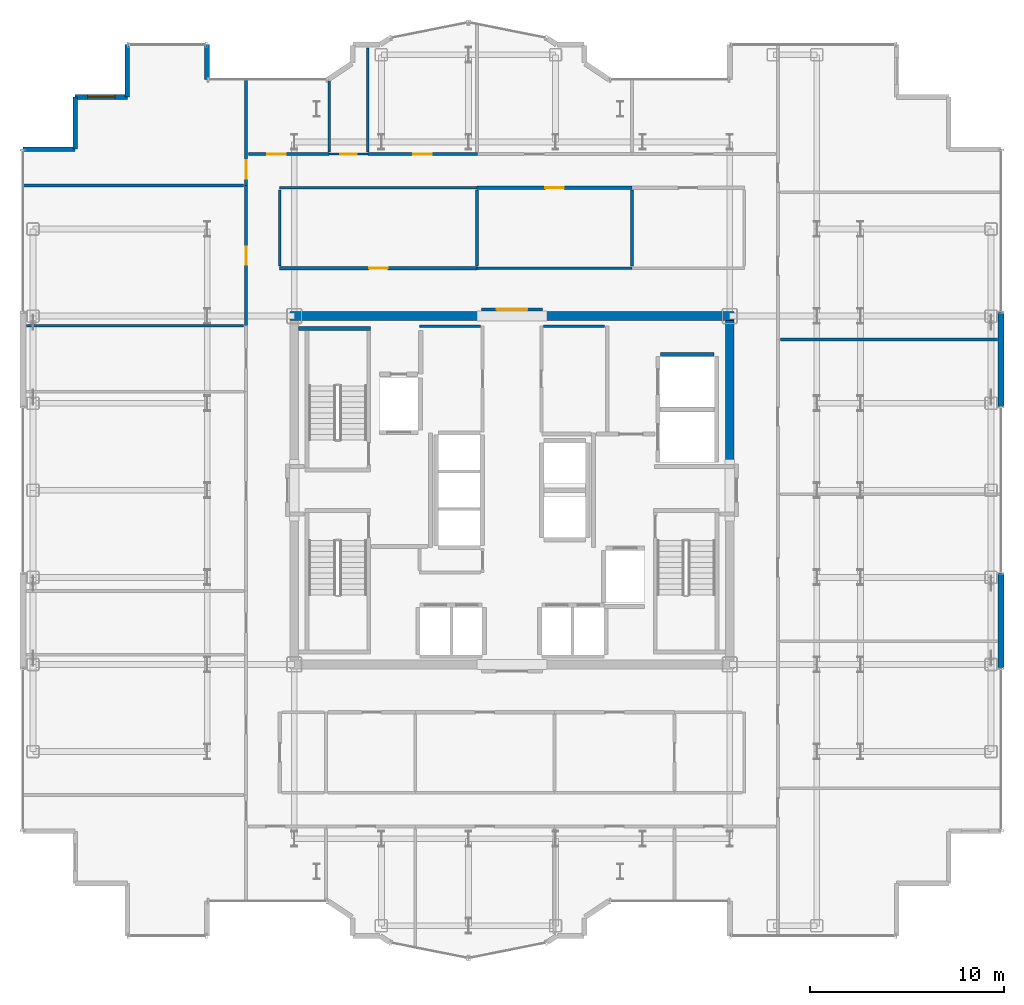
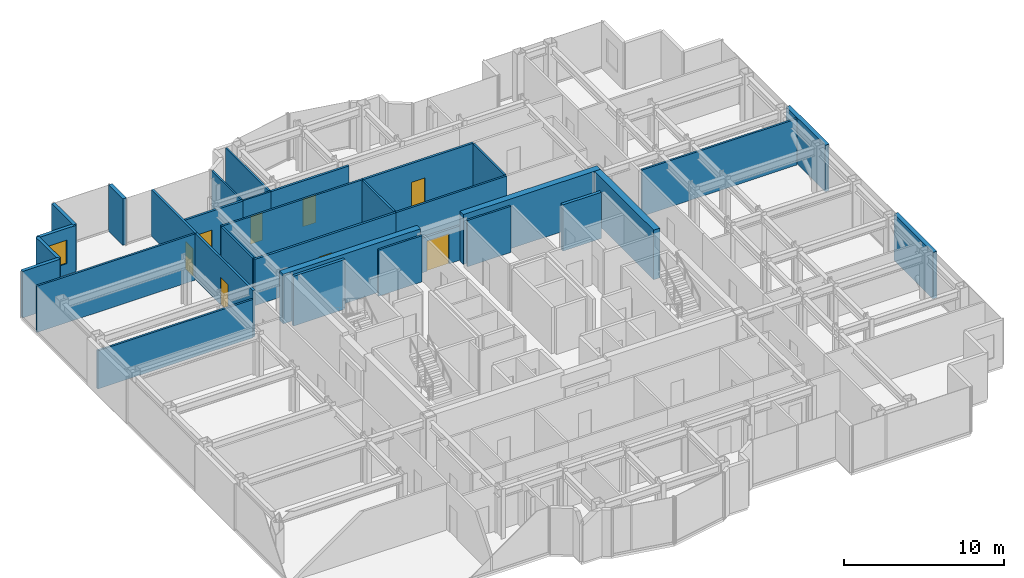
# One storey, part 19 of 21: 32 walls, 8 doors, 1 window, 9 openings.
"""IFC4 building model written with IfcOpenShell, lengths in metres."""

from ifc_helpers import new_model, si_unit, direction, frame, frame_2d, origin, place, context, subcontext, project, spatial, rectangle, extrude, source, transform, mapped, material, layer, layer_set, type_object, element, fill, save


model = new_model("IFC4")

# Units and contexts
model_context = context("Model", 3, precision=1e-05, world=origin(), true_north=direction((0.0, 1.0)))
body_context = subcontext(model_context, "Body", "Model", "MODEL_VIEW")
ifc_project = project(units=[si_unit("LENGTHUNIT", "METRE"), si_unit("AREAUNIT", "SQUARE_METRE"), si_unit("VOLUMEUNIT", "CUBIC_METRE"), si_unit("PLANEANGLEUNIT", "RADIAN"), si_unit("MASSUNIT", "GRAM", prefix="KILO")], contexts=[model_context])

# Site, building, storey
site_placement = place(None, origin())
site = spatial("IfcSite", under=ifc_project, at=site_placement, CompositionType="ELEMENT")
building_placement = place(site_placement, origin())
building = spatial("IfcBuilding", under=site, at=building_placement, Name="Nefas-Gora Pilgrimage Tower", CompositionType="ELEMENT")
storey_placement = place(building_placement, frame((0.0, 0.0, 229.39990234375)))
storey = spatial("IfcBuildingStorey", under=building, at=storey_placement, Name="L57", CompositionType="ELEMENT", Elevation=229.39990234375)

# Walls
ifc_material_1 = material(Name="Concrete C50/60", Category="concrete")
ifc_layer_1 = layer(ifc_material_1, 0.449951171875)
ifc_layer_set_1 = layer_set([ifc_layer_1], Name="Concrete C50/60")
wall_type_1 = type_object("IfcWallType", Name="SW-CORE-450", PredefinedType="SHEAR", material=ifc_layer_set_1)
shared_shape_1 = source(origin(), body_context, "Body", "SweptSolid", [
    extrude(rectangle(XDim=9.925048828125, YDim=0.449951171875, at=frame_2d((4.96240234375, 0.0))), origin(), (0.0, 0.0, 1.0), 3.800048828125),
])
for number, where, z_axis, x_axis, name in (
    (1, (-11.47509765625, 9.0, 0.0), (0.0, 0.0, 1.0), (1.0, 0.0, 0.0), "L57 Core Shear Wall N-West"),
    (2, (1.550048828125, 9.0, 0.0), (0.0, 0.0, 1.0), (1.0, 0.0, 0.0), "L57 Core Shear Wall N-East"),
):
    element("IfcWall", number, at=place(storey_placement, frame(where, z_axis=z_axis, x_axis=x_axis)), inside=storey, type_object=wall_type_1, Name=name, PredefinedType="SHEAR", context=body_context, shape_type="MappedRepresentation", body=[
        mapped(shared_shape_1, transform((0.0, 0.0, 0.0), x_axis=(1.0, 0.0, 0.0), y_axis=(0.0, 1.0, 0.0), z_axis=(0.0, 0.0, 1.0), scale=1.0)),
    ])
shared_shape_2 = source(origin(), body_context, "Body", "SweptSolid", [
    extrude(rectangle(XDim=7.4248046875, YDim=0.449951171875, at=frame_2d((3.71240234375, 0.0))), origin(), (0.0, 0.0, 1.0), 3.800048828125),
])
wall_1_placement = place(storey_placement, frame((11.25, 1.35009765625, 0.0), z_axis=(0.0, 0.0, 1.0), x_axis=(0.0, 1.0, 0.0)))
element("IfcWall", 3, at=wall_1_placement, inside=storey, type_object=wall_type_1, Name="L57 Core Shear Wall E-North", PredefinedType="SHEAR", context=body_context, shape_type="MappedRepresentation", body=[
    mapped(shared_shape_2, transform((0.0, 0.0, 0.0), x_axis=(1.0, 0.0, 0.0), y_axis=(0.0, 1.0, 0.0), z_axis=(0.0, 0.0, 1.0), scale=1.0)),
])
ifc_material_2 = material(Name="Precast concrete C45/55", Category="concrete")
ifc_layer_2 = layer(ifc_material_2, 0.239990234375)
ifc_layer_set_2 = layer_set([ifc_layer_2], Name="Precast concrete C45/55")
wall_type_2 = type_object("IfcWallType", Name="EW-SERR-240", PredefinedType="SHEAR", material=ifc_layer_set_2)
shared_shape_3 = source(origin(), body_context, "Body", "SweptSolid", [
    extrude(rectangle(XDim=4.8798828125, YDim=0.300048828125, at=frame_2d((2.43994140625, 0.0))), origin(), (0.0, 0.0, 1.0), 3.550048828125),
])
for number, where, z_axis, x_axis, name in (
    (4, (25.27001953125, -9.18994140625, 0.0), (0.0, 0.0, 1.0), (0.0, 1.0, 0.0), "L57 Braced-Tube Precast Shear Cladding 3"),
    (5, (25.27001953125, 4.31005859375, 0.0), (0.0, 0.0, 1.0), (0.0, 1.0, 0.0), "L57 Braced-Tube Precast Shear Cladding 4"),
):
    element("IfcWall", number, at=place(storey_placement, frame(where, z_axis=z_axis, x_axis=x_axis)), inside=storey, type_object=wall_type_2, Name=name, PredefinedType="SHEAR", context=body_context, shape_type="MappedRepresentation", body=[
        mapped(shared_shape_3, transform((0.0, 0.0, 0.0), x_axis=(1.0, 0.0, 0.0), y_axis=(0.0, 1.0, 0.0), z_axis=(0.0, 0.0, 1.0), scale=1.0)),
    ])
ifc_material_3 = material(Name="Precast concrete C40/50", Category="concrete")
ifc_layer_3 = layer(ifc_material_3, 0.260009765625)
ifc_layer_set_3 = layer_set([ifc_layer_3], Name="Precast concrete C40/50")
wall_type_3 = type_object("IfcWallType", Name="EW-PORTAL-260", PredefinedType="SOLIDWALL", material=ifc_layer_set_3)
shared_shape_4 = source(origin(), body_context, "Body", "SweptSolid", [
    extrude(rectangle(XDim=1.800048828125, YDim=0.260009765625, at=frame_2d((0.89990234375, 0.0))), origin(), (0.0, 0.0, 1.0), 3.550048828125),
])
wall_2_placement = place(storey_placement, frame((-15.75, 21.219970703125, 0.0), z_axis=(0.0, 0.0, 1.0), x_axis=(0.0, 1.0, 0.0)))
element("IfcWall", 6, at=wall_2_placement, inside=storey, type_object=wall_type_3, Name="L57 Lobe Shoulder Precast Spandrel Pier 23", PredefinedType="SOLIDWALL", context=body_context, shape_type="MappedRepresentation", body=[
    mapped(shared_shape_4, transform((0.0, 0.0, 0.0), x_axis=(1.0, 0.0, 0.0), y_axis=(0.0, 1.0, 0.0), z_axis=(0.0, 0.0, 1.0), scale=1.0)),
])
shared_shape_5 = source(origin(), body_context, "Body", "SweptSolid", [
    extrude(rectangle(XDim=2.699951171875, YDim=0.239990234375, at=frame_2d((1.35009765625, 0.0))), origin(), (0.0, 0.0, 1.0), 3.550048828125),
])
wall_3_placement = place(storey_placement, frame((-19.8701171875, 23.02001953125, 0.0), z_axis=(0.0, 0.0, 1.0), x_axis=(0.0, -1.0, 0.0)))
element("IfcWall", 7, at=wall_3_placement, inside=storey, type_object=wall_type_2, Name="L57 Serrated Corner Shear Pier Wall 24", PredefinedType="SHEAR", context=body_context, shape_type="MappedRepresentation", body=[
    mapped(shared_shape_5, transform((0.0, 0.0, 0.0), x_axis=(1.0, 0.0, 0.0), y_axis=(0.0, 1.0, 0.0), z_axis=(0.0, 0.0, 1.0), scale=1.0)),
])

# Wall, opening, window
wall_4_placement = place(storey_placement, frame((-19.8701171875, 20.320068359375, 0.0), z_axis=(0.0, 0.0, 1.0), x_axis=(-1.0, 0.0, 0.0)))
wall_4 = element("IfcWall", 8, at=wall_4_placement, inside=storey, type_object=wall_type_2, Name="L57 Serrated Corner Shear Pier Wall 25", PredefinedType="SHEAR", context=body_context, shape_type="MappedRepresentation", body=[
    mapped(shared_shape_5, transform((0.0, 0.0, 0.0), x_axis=(1.0, 0.0, 0.0), y_axis=(0.0, 1.0, 0.0), z_axis=(0.0, 0.0, 1.0), scale=1.0)),
])
opening_1_placement = place(wall_4_placement, frame((0.64990234375, 0.0, 0.85009765625)))
opening_1 = element("IfcOpeningElement", 9, at=opening_1_placement, cuts=wall_4, Name="Opening W-V2", PredefinedType="OPENING", context=body_context, shape_type="SweptSolid", body=[
    extrude(rectangle(XDim=1.39990234375, YDim=1.800048828125, at=frame_2d((0.699951171875, 0.89990234375))), frame((0.0, 0.1298828125, 0.0), z_axis=(0.0, -1.0, 0.0), x_axis=(1.0, 0.0, 0.0)), (0.0, 0.0, 1.0), 0.260009765625),
])
ifc_material_4 = material(Name="Dark ceramic-fritted operable aluminium-glass window", Category="aluminium")
window_type = type_object("IfcWindowType", Name="WIN-VENT-1400x1800", PartitioningType="SINGLE_PANEL", PredefinedType="WINDOW", material=ifc_material_4)
shared_shape_6 = source(origin(), body_context, "Body", "SweptSolid", [
    extrude(rectangle(XDim=1.39990234375, YDim=1.800048828125, at=frame_2d((0.699951171875, 0.89990234375))), frame((0.0, 0.030029296875, 0.0), z_axis=(0.0, -1.0, 0.0), x_axis=(1.0, 0.0, 0.0)), (0.0, 0.0, 1.0), 0.06005859375),
])
window_placement = place(opening_1_placement, origin())
window = element("IfcWindow", 10, at=window_placement, inside=storey, type_object=window_type, Name="L57 Operable Parallel-Outswing Window 25", OverallHeight=1.800048828125, OverallWidth=1.39990234375, PartitioningType="SINGLE_PANEL", PredefinedType="WINDOW", context=body_context, shape_type="MappedRepresentation", body=[
    mapped(shared_shape_6, transform((0.0, 0.0, 0.0), x_axis=(1.0, 0.0, 0.0), y_axis=(0.0, 1.0, 0.0), z_axis=(0.0, 0.0, 1.0), scale=1.0)),
])
fill(opening_1, window)

# Walls
for number, where, z_axis, x_axis, name in (
    (11, (-22.570068359375, 20.320068359375, 0.0), (0.0, 0.0, 1.0), (0.0, -1.0, 0.0), "L57 Serrated Corner Shear Pier Wall 26"),
    (12, (-22.570068359375, 17.6201171875, 0.0), (0.0, 0.0, 1.0), (-1.0, 0.0, 0.0), "L57 Serrated Corner Shear Pier Wall 27"),
):
    element("IfcWall", number, at=place(storey_placement, frame(where, z_axis=z_axis, x_axis=x_axis)), inside=storey, type_object=wall_type_2, Name=name, PredefinedType="SHEAR", context=body_context, shape_type="MappedRepresentation", body=[
        mapped(shared_shape_5, transform((0.0, 0.0, 0.0), x_axis=(1.0, 0.0, 0.0), y_axis=(0.0, 1.0, 0.0), z_axis=(0.0, 0.0, 1.0), scale=1.0)),
    ])
ifc_material_5 = material(Name="Concrete C45/55", Category="concrete")
ifc_layer_4 = layer(ifc_material_5, 0.199951171875)
ifc_layer_set_4 = layer_set([ifc_layer_4], Name="Concrete C45/55")
wall_type_4 = type_object("IfcWallType", Name="IW-STAIR-200", PredefinedType="SOLIDWALL", material=ifc_layer_set_4)
shared_shape_7 = source(origin(), body_context, "Body", "SweptSolid", [
    extrude(rectangle(XDim=3.72998046875, YDim=0.199951171875, at=frame_2d((1.864990234375, 0.0))), origin(), (0.0, 0.0, 1.0), 3.800048828125),
])
wall_5_placement = place(storey_placement, frame((-7.300048828125, 8.35009765625, 0.0), z_axis=(0.0, 0.0, 1.0), x_axis=(-1.0, 0.0, 0.0)))
element("IfcWall", 13, at=wall_5_placement, inside=storey, type_object=wall_type_4, Name="L57 Stairwell Shear Wall ST-01-far", PredefinedType="SOLIDWALL", context=body_context, shape_type="MappedRepresentation", body=[
    mapped(shared_shape_7, transform((0.0, 0.0, 0.0), x_axis=(1.0, 0.0, 0.0), y_axis=(0.0, 1.0, 0.0), z_axis=(0.0, 0.0, 1.0), scale=1.0)),
])
ifc_material_6 = material(Name="Concrete C40/50", Category="concrete")
ifc_layer_5 = layer(ifc_material_6, 0.219970703125)
ifc_layer_set_5 = layer_set([ifc_layer_5], Name="Concrete C40/50")
wall_type_5 = type_object("IfcWallType", Name="IW-SHAFT-220", PredefinedType="SOLIDWALL", material=ifc_layer_set_5)
shared_shape_8 = source(origin(), body_context, "Body", "SweptSolid", [
    extrude(rectangle(XDim=2.780029296875, YDim=0.219970703125, at=frame_2d((1.39013671875, 0.0))), origin(), (0.0, 0.0, 1.0), 3.53515625),
])
wall_6_placement = place(storey_placement, frame((10.43994140625, 7.010009765625, 0.0), z_axis=(0.0, 0.0, 1.0), x_axis=(-1.0, 0.0, 0.0)))
element("IfcWall", 14, at=wall_6_placement, inside=storey, type_object=wall_type_5, Name="L57 Hoistway Wall SL-02-N", PredefinedType="SOLIDWALL", context=body_context, shape_type="MappedRepresentation", body=[
    mapped(shared_shape_8, transform((0.0, 0.0, 0.0), x_axis=(1.0, 0.0, 0.0), y_axis=(0.0, 1.0, 0.0), z_axis=(0.0, 0.0, 1.0), scale=1.0)),
])
ifc_material_7 = material(Name="Gypsum twin-stud partition")
ifc_layer_6 = layer(ifc_material_7, 0.139892578125)
ifc_layer_set_6 = layer_set([ifc_layer_6], Name="Gypsum twin-stud partition")
wall_type_6 = type_object("IfcWallType", Name="IW-UNIT-140", PredefinedType="PARTITIONING", material=ifc_layer_set_6)
shared_shape_9 = source(origin(), body_context, "Body", "SweptSolid", [
    extrude(rectangle(XDim=3.150146484375, YDim=0.139892578125, at=frame_2d((1.5751953125, 0.0))), origin(), (0.0, 0.0, 1.0), 3.53515625),
])
for number, where, z_axis, x_axis, name in (
    (15, (-4.7900390625, 8.47998046875, 0.0), (0.0, 0.0, 1.0), (1.0, 0.0, 0.0), "L57 Housekeeping and Linen Store Partition Wall 19"),
    (16, (1.639892578125, 8.47998046875, 0.0), (0.0, 0.0, 1.0), (1.0, 0.0, 0.0), "L57 Freed Bank-1 Amenity Supply Store Partition Wall 24"),
):
    element("IfcWall", number, at=place(storey_placement, frame(where, z_axis=z_axis, x_axis=x_axis)), inside=storey, type_object=wall_type_6, Name=name, PredefinedType="PARTITIONING", context=body_context, shape_type="MappedRepresentation", body=[
        mapped(shared_shape_9, transform((0.0, 0.0, 0.0), x_axis=(1.0, 0.0, 0.0), y_axis=(0.0, 1.0, 0.0), z_axis=(0.0, 0.0, 1.0), scale=1.0)),
    ])

# Wall, opening, door
ifc_material_8 = material(Name="Moisture-resistant fire-rated gypsum partition")
ifc_layer_7 = layer(ifc_material_8, 0.1201171875)
ifc_layer_set_7 = layer_set([ifc_layer_7], Name="Moisture-resistant fire-rated gypsum partition")
wall_type_7 = type_object("IfcWallType", Name="IW-WET-120", PredefinedType="PLUMBINGWALL", material=ifc_layer_set_7)
shared_shape_10 = source(origin(), body_context, "Body", "SweptSolid", [
    extrude(rectangle(XDim=2.02001953125, YDim=0.1201171875, at=frame_2d((1.010009765625, 0.0))), origin(), (0.0, 0.0, 1.0), 3.53515625),
])
wall_7_placement = place(storey_placement, frame((-9.4599609375, 17.3701171875, 0.0), z_axis=(0.0, 0.0, 1.0), x_axis=(1.0, 0.0, 0.0)))
wall_7 = element("IfcWall", 17, at=wall_7_placement, inside=storey, type_object=wall_type_7, Name="L57 Accessible Unisex WC Partition Wall 25", PredefinedType="PLUMBINGWALL", context=body_context, shape_type="MappedRepresentation", body=[
    mapped(shared_shape_10, transform((0.0, 0.0, 0.0), x_axis=(1.0, 0.0, 0.0), y_axis=(0.0, 1.0, 0.0), z_axis=(0.0, 0.0, 1.0), scale=1.0)),
])
opening_2_placement = place(wall_7_placement, frame((0.5849609375, 0.0, 0.0)))
opening_2 = element("IfcOpeningElement", 18, at=opening_2_placement, cuts=wall_7, Name="Opening ID-BT1", PredefinedType="OPENING", context=body_context, shape_type="SweptSolid", body=[
    extrude(rectangle(XDim=0.85009765625, YDim=2.10009765625, at=frame_2d((0.425048828125, 1.050048828125))), frame((0.0, 0.070068359375, 0.0), z_axis=(0.0, -1.0, 0.0), x_axis=(1.0, 0.0, 0.0)), (0.0, 0.0, 1.0), 0.14013671875),
])
ifc_material_9 = material(Name="Moisture-resistant fire-rated timber door", Category="wood")
door_type_1 = type_object("IfcDoorType", Name="DR-INT-BATH-850", OperationType="NOTDEFINED", PredefinedType="DOOR", material=ifc_material_9)
shared_shape_11 = source(origin(), body_context, "Body", "SweptSolid", [
    extrude(rectangle(XDim=0.85009765625, YDim=2.10009765625, at=frame_2d((0.425048828125, 1.050048828125))), frame((0.0, 0.02490234375, 0.0), z_axis=(0.0, -1.0, 0.0), x_axis=(1.0, 0.0, 0.0)), (0.0, 0.0, 1.0), 0.050048828125),
])
door_1_placement = place(opening_2_placement, origin())
door_1 = element("IfcDoor", 19, at=door_1_placement, inside=storey, type_object=door_type_1, Name="L57 Accessible Unisex WC Door 10", OperationType="SINGLE_SWING_RIGHT", OverallHeight=2.10009765625, OverallWidth=0.85009765625, PredefinedType="DOOR", context=body_context, shape_type="MappedRepresentation", body=[
    mapped(shared_shape_11, transform((0.0, 0.0, 0.0), x_axis=(1.0, 0.0, 0.0), y_axis=(0.0, 1.0, 0.0), z_axis=(0.0, 0.0, 1.0), scale=1.0)),
])
fill(opening_2, door_1)

# Walls
shared_shape_12 = source(origin(), body_context, "Body", "SweptSolid", [
    extrude(rectangle(XDim=5.380126953125, YDim=0.1201171875, at=frame_2d((2.68994140625, 0.0))), origin(), (0.0, 0.0, 1.0), 3.53515625),
])
wall_8_placement = place(storey_placement, frame((-7.449951171875, 17.469970703125, 0.0), z_axis=(0.0, 0.0, 1.0), x_axis=(0.0, 1.0, 0.0)))
element("IfcWall", 20, at=wall_8_placement, inside=storey, type_object=wall_type_7, Name="L57 Accessible Unisex WC Partition Wall 26", PredefinedType="PLUMBINGWALL", context=body_context, shape_type="MappedRepresentation", body=[
    mapped(shared_shape_12, transform((0.0, 0.0, 0.0), x_axis=(1.0, 0.0, 0.0), y_axis=(0.0, 1.0, 0.0), z_axis=(0.0, 0.0, 1.0), scale=1.0)),
])
shared_shape_13 = source(origin(), body_context, "Body", "SweptSolid", [
    extrude(rectangle(XDim=3.686767578125, YDim=0.1201171875, at=frame_2d((1.84326171875, 0.0))), origin(), (0.0, 0.0, 1.0), 3.53515625),
])
wall_9_placement = place(storey_placement, frame((-9.449951171875, 17.469970703125, 0.0), z_axis=(0.0, 0.0, 1.0), x_axis=(0.0, 1.0, 0.0)))
element("IfcWall", 21, at=wall_9_placement, inside=storey, type_object=wall_type_7, Name="L57 Accessible Unisex WC Partition Wall 27", PredefinedType="PLUMBINGWALL", context=body_context, shape_type="MappedRepresentation", body=[
    mapped(shared_shape_13, transform((0.0, 0.0, 0.0), x_axis=(1.0, 0.0, 0.0), y_axis=(0.0, 1.0, 0.0), z_axis=(0.0, 0.0, 1.0), scale=1.0)),
])
shared_shape_14 = source(origin(), body_context, "Body", "SweptSolid", [
    extrude(rectangle(XDim=11.429931640625, YDim=0.139892578125, at=frame_2d((5.71484375, 0.0))), origin(), (0.0, 0.0, 1.0), 3.53515625),
])
wall_10_placement = place(storey_placement, frame((-25.2900390625, 15.74755859375, 0.0), z_axis=(0.0, 0.0, 1.0), x_axis=(1.0, 0.0, 0.0)))
element("IfcWall", 22, at=wall_10_placement, inside=storey, type_object=wall_type_6, Name="L57 Pilgrim Tea and Beverage Pantry Partition Wall 39", PredefinedType="PARTITIONING", context=body_context, shape_type="MappedRepresentation", body=[
    mapped(shared_shape_14, transform((0.0, 0.0, 0.0), x_axis=(1.0, 0.0, 0.0), y_axis=(0.0, 1.0, 0.0), z_axis=(0.0, 0.0, 1.0), scale=1.0)),
])

# Wall, opening, door
ifc_material_10 = material(Name="Gypsum acoustic stud partition")
ifc_layer_8 = layer(ifc_material_10, 0.159912109375)
ifc_layer_set_8 = layer_set([ifc_layer_8], Name="Gypsum acoustic stud partition")
wall_type_8 = type_object("IfcWallType", Name="IW-CORR-160", PredefinedType="PARTITIONING", material=ifc_layer_set_8)
shared_shape_15 = source(origin(), body_context, "Body", "SweptSolid", [
    extrude(rectangle(XDim=7.242431640625, YDim=0.159912109375, at=frame_2d((3.62109375, 0.0))), origin(), (0.0, 0.0, 1.0), 3.53515625),
])
wall_11_placement = place(storey_placement, frame((-13.739990234375, 8.4951171875, 0.0), z_axis=(0.0, 0.0, 1.0), x_axis=(0.0, 1.0, 0.0)))
wall_11 = element("IfcWall", 23, at=wall_11_placement, inside=storey, type_object=wall_type_8, Name="L57 Pilgrim Fellowship Seminar Room Partition Wall 40", PredefinedType="PARTITIONING", context=body_context, shape_type="MappedRepresentation", body=[
    mapped(shared_shape_15, transform((0.0, 0.0, 0.0), x_axis=(1.0, 0.0, 0.0), y_axis=(0.0, 1.0, 0.0), z_axis=(0.0, 0.0, 1.0), scale=1.0)),
])
opening_3_placement = place(wall_11_placement, frame((3.146240234375, 0.0, 0.0)))
opening_3 = element("IfcOpeningElement", 24, at=opening_3_placement, cuts=wall_11, Name="Opening ID-GR1", PredefinedType="OPENING", context=body_context, shape_type="SweptSolid", body=[
    extrude(rectangle(XDim=0.949951171875, YDim=2.10009765625, at=frame_2d((0.47509765625, 1.050048828125))), frame((0.0, 0.08984375, 0.0), z_axis=(0.0, -1.0, 0.0), x_axis=(1.0, 0.0, 0.0)), (0.0, 0.0, 1.0), 0.179931640625),
])
ifc_material_11 = material(Name="Solid core oak fire-rated guest entrance door")
door_type_2 = type_object("IfcDoorType", Name="DR-INT-GUEST-950", OperationType="NOTDEFINED", PredefinedType="DOOR", material=ifc_material_11)
shared_shape_16 = source(origin(), body_context, "Body", "SweptSolid", [
    extrude(rectangle(XDim=0.949951171875, YDim=2.10009765625, at=frame_2d((0.47509765625, 1.050048828125))), frame((0.0, 0.02490234375, 0.0), z_axis=(0.0, -1.0, 0.0), x_axis=(1.0, 0.0, 0.0)), (0.0, 0.0, 1.0), 0.050048828125),
])
door_2_placement = place(opening_3_placement, origin())
door_2 = element("IfcDoor", 25, at=door_2_placement, inside=storey, type_object=door_type_2, Name="L57 Pilgrim Fellowship Seminar Room Door 17", OperationType="SINGLE_SWING_LEFT", OverallHeight=2.10009765625, OverallWidth=0.949951171875, PredefinedType="DOOR", context=body_context, shape_type="MappedRepresentation", body=[
    mapped(shared_shape_16, transform((0.0, 0.0, 0.0), x_axis=(1.0, 0.0, 0.0), y_axis=(0.0, 1.0, 0.0), z_axis=(0.0, 0.0, 1.0), scale=1.0)),
])
fill(opening_3, door_2)

# Walls
shared_shape_17 = source(origin(), body_context, "Body", "SweptSolid", [
    extrude(rectangle(XDim=3.929931640625, YDim=0.139892578125, at=frame_2d((1.96484375, 0.0))), origin(), (0.0, 0.0, 1.0), 3.53515625),
])
for number, where, z_axis, x_axis, name in (
    (26, (-12.0, 11.590087890625, 0.0), (0.0, 0.0, 1.0), (0.0, 1.0, 0.0), "L57 Pilgrim Contemplative Lounge Partition Wall 54"),
    (27, (-1.804931640625, 11.590087890625, 0.0), (0.0, 0.0, 1.0), (0.0, 1.0, 0.0), "L57 Pilgrim Contemplative Lounge Partition Wall 55"),
    (28, (6.195068359375, 11.580078125, 0.0), (0.0, 0.0, 1.0), (0.0, 1.0, 0.0), "L57 Pilgrim Contemplative Lounge Partition Wall 63"),
):
    element("IfcWall", number, at=place(storey_placement, frame(where, z_axis=z_axis, x_axis=x_axis)), inside=storey, type_object=wall_type_6, Name=name, PredefinedType="PARTITIONING", context=body_context, shape_type="MappedRepresentation", body=[
        mapped(shared_shape_17, transform((0.0, 0.0, 0.0), x_axis=(1.0, 0.0, 0.0), y_axis=(0.0, 1.0, 0.0), z_axis=(0.0, 0.0, 1.0), scale=1.0)),
    ])

# Wall, opening, door
shared_shape_18 = source(origin(), body_context, "Body", "SweptSolid", [
    extrude(rectangle(XDim=4.16015625, YDim=0.159912109375, at=frame_2d((2.080078125, 0.0))), origin(), (0.0, 0.0, 1.0), 3.53515625),
])
wall_12_placement = place(storey_placement, frame((-13.6201171875, 17.3701171875, 0.0), z_axis=(0.0, 0.0, 1.0), x_axis=(1.0, 0.0, 0.0)))
wall_12 = element("IfcWall", 29, at=wall_12_placement, inside=storey, type_object=wall_type_8, Name="L57 Pilgrim Contemplative Lounge Partition Wall 58", PredefinedType="PARTITIONING", context=body_context, shape_type="MappedRepresentation", body=[
    mapped(shared_shape_18, transform((0.0, 0.0, 0.0), x_axis=(1.0, 0.0, 0.0), y_axis=(0.0, 1.0, 0.0), z_axis=(0.0, 0.0, 1.0), scale=1.0)),
])
opening_4_placement = place(wall_12_placement, frame((0.968994140625, 0.0, 0.0)))
opening_4 = element("IfcOpeningElement", 30, at=opening_4_placement, cuts=wall_12, Name="Opening ID-GR1", PredefinedType="OPENING", context=body_context, shape_type="SweptSolid", body=[
    extrude(rectangle(XDim=0.949951171875, YDim=2.10009765625, at=frame_2d((0.47509765625, 1.050048828125))), frame((0.0, 0.08984375, 0.0), z_axis=(0.0, -1.0, 0.0), x_axis=(1.0, 0.0, 0.0)), (0.0, 0.0, 1.0), 0.179931640625),
])
door_3_placement = place(opening_4_placement, origin())
door_3 = element("IfcDoor", 31, at=door_3_placement, inside=storey, type_object=door_type_2, Name="L57 Pilgrim Contemplative Lounge Door 26", OperationType="SINGLE_SWING_RIGHT", OverallHeight=2.10009765625, OverallWidth=0.949951171875, PredefinedType="DOOR", context=body_context, shape_type="MappedRepresentation", body=[
    mapped(shared_shape_16, transform((0.0, 0.0, 0.0), x_axis=(1.0, 0.0, 0.0), y_axis=(0.0, 1.0, 0.0), z_axis=(0.0, 0.0, 1.0), scale=1.0)),
])
fill(opening_4, door_3)

# Wall
shared_shape_19 = source(origin(), body_context, "Body", "SweptSolid", [
    extrude(rectangle(XDim=11.219970703125, YDim=0.139892578125, at=frame_2d((5.60986328125, 0.0))), origin(), (0.0, 0.0, 1.0), 3.53515625),
])
wall_13_placement = place(storey_placement, frame((13.860107421875, 7.794921875, 0.0), z_axis=(0.0, 0.0, 1.0), x_axis=(1.0, 0.0, 0.0)))
element("IfcWall", 32, at=wall_13_placement, inside=storey, type_object=wall_type_6, Name="L57 Pilgrim Contemplative Lounge Partition Wall 48", PredefinedType="PARTITIONING", context=body_context, shape_type="MappedRepresentation", body=[
    mapped(shared_shape_19, transform((0.0, 0.0, 0.0), x_axis=(1.0, 0.0, 0.0), y_axis=(0.0, 1.0, 0.0), z_axis=(0.0, 0.0, 1.0), scale=1.0)),
])

# Wall, opening, door
shared_shape_20 = source(origin(), body_context, "Body", "SweptSolid", [
    extrude(rectangle(XDim=8.010009765625, YDim=0.159912109375, at=frame_2d((4.0048828125, 0.0))), origin(), (0.0, 0.0, 1.0), 3.53515625),
])
wall_14_placement = place(storey_placement, frame((-1.804931640625, 15.6298828125, 0.0), z_axis=(0.0, 0.0, 1.0), x_axis=(1.0, 0.0, 0.0)))
wall_14 = element("IfcWall", 33, at=wall_14_placement, inside=storey, type_object=wall_type_8, Name="L57 Pilgrim Contemplative Lounge Partition Wall 61", PredefinedType="PARTITIONING", context=body_context, shape_type="MappedRepresentation", body=[
    mapped(shared_shape_20, transform((0.0, 0.0, 0.0), x_axis=(1.0, 0.0, 0.0), y_axis=(0.0, 1.0, 0.0), z_axis=(0.0, 0.0, 1.0), scale=1.0)),
])
opening_5_placement = place(wall_14_placement, frame((3.530029296875, 0.0, 0.0)))
opening_5 = element("IfcOpeningElement", 34, at=opening_5_placement, cuts=wall_14, Name="Opening ID-GR1", PredefinedType="OPENING", context=body_context, shape_type="SweptSolid", body=[
    extrude(rectangle(XDim=0.949951171875, YDim=2.10009765625, at=frame_2d((0.47509765625, 1.050048828125))), frame((0.0, 0.08984375, 0.0), z_axis=(0.0, -1.0, 0.0), x_axis=(1.0, 0.0, 0.0)), (0.0, 0.0, 1.0), 0.179931640625),
])
door_4_placement = place(opening_5_placement, origin())
door_4 = element("IfcDoor", 35, at=door_4_placement, inside=storey, type_object=door_type_2, Name="L57 Pilgrim Contemplative Lounge Door 28", OperationType="SINGLE_SWING_RIGHT", OverallHeight=2.10009765625, OverallWidth=0.949951171875, PredefinedType="DOOR", context=body_context, shape_type="MappedRepresentation", body=[
    mapped(shared_shape_16, transform((0.0, 0.0, 0.0), x_axis=(1.0, 0.0, 0.0), y_axis=(0.0, 1.0, 0.0), z_axis=(0.0, 0.0, 1.0), scale=1.0)),
])
fill(opening_5, door_4)

shared_shape_21 = source(origin(), body_context, "Body", "SweptSolid", [
    extrude(rectangle(XDim=3.16015625, YDim=0.159912109375, at=frame_2d((1.580078125, 0.0))), origin(), (0.0, 0.0, 1.0), 2.625),
])
wall_15_placement = place(storey_placement, frame((-1.580078125, 9.35009765625, 0.0), z_axis=(0.0, 0.0, 1.0), x_axis=(1.0, 0.0, 0.0)))
wall_15 = element("IfcWall", 36, at=wall_15_placement, inside=storey, type_object=wall_type_8, Name="L57 Central Lift Lobby North Portal Wall 15", PredefinedType="PARTITIONING", context=body_context, shape_type="MappedRepresentation", body=[
    mapped(shared_shape_21, transform((0.0, 0.0, 0.0), x_axis=(1.0, 0.0, 0.0), y_axis=(0.0, 1.0, 0.0), z_axis=(0.0, 0.0, 1.0), scale=1.0)),
])
opening_6_placement = place(wall_15_placement, frame((0.780029296875, 0.0, 0.0)))
opening_6 = element("IfcOpeningElement", 37, at=opening_6_placement, cuts=wall_15, Name="Opening ID-HL1", PredefinedType="OPENING", context=body_context, shape_type="SweptSolid", body=[
    extrude(rectangle(XDim=1.60009765625, YDim=2.300048828125, at=frame_2d((0.800048828125, 1.14990234375))), frame((0.0, 0.08984375, 0.0), z_axis=(0.0, -1.0, 0.0), x_axis=(1.0, 0.0, 0.0)), (0.0, 0.0, 1.0), 0.179931640625),
])
ifc_material_12 = material(Name="Double acoustic timber assembly hall door", Category="wood")
door_type_3 = type_object("IfcDoorType", Name="DR-INT-HALL-1600", OperationType="DOUBLE_DOOR_SINGLE_SWING", PredefinedType="DOOR", material=ifc_material_12)
shared_shape_22 = source(origin(), body_context, "Body", "SweptSolid", [
    extrude(rectangle(XDim=1.60009765625, YDim=2.300048828125, at=frame_2d((0.800048828125, 1.14990234375))), frame((0.0, 0.02490234375, 0.0), z_axis=(0.0, -1.0, 0.0), x_axis=(1.0, 0.0, 0.0)), (0.0, 0.0, 1.0), 0.050048828125),
])
door_5_placement = place(opening_6_placement, origin())
door_5 = element("IfcDoor", 38, at=door_5_placement, inside=storey, type_object=door_type_3, Name="L57 Central Lift Lobby North Portal Door 5", OperationType="DOUBLE_DOOR_SINGLE_SWING", OverallHeight=2.300048828125, OverallWidth=1.60009765625, PredefinedType="DOOR", context=body_context, shape_type="MappedRepresentation", body=[
    mapped(shared_shape_22, transform((0.0, 0.0, 0.0), x_axis=(1.0, 0.0, 0.0), y_axis=(0.0, 1.0, 0.0), z_axis=(0.0, 0.0, 1.0), scale=1.0)),
])
fill(opening_6, door_5)

shared_shape_23 = source(origin(), body_context, "Body", "SweptSolid", [
    extrude(rectangle(XDim=5.50244140625, YDim=0.159912109375, at=frame_2d((2.751220703125, 0.0))), origin(), (0.0, 0.0, 1.0), 3.53515625),
])
wall_16_placement = place(storey_placement, frame((-13.739990234375, 15.737548828125, 0.0), z_axis=(0.0, 0.0, 1.0), x_axis=(0.0, 1.0, 0.0)))
wall_16 = element("IfcWall", 39, at=wall_16_placement, inside=storey, type_object=wall_type_8, Name="L57 Pilgrim Tea and Beverage Pantry Partition Wall 38", PredefinedType="PARTITIONING", context=body_context, shape_type="MappedRepresentation", body=[
    mapped(shared_shape_23, transform((0.0, 0.0, 0.0), x_axis=(1.0, 0.0, 0.0), y_axis=(0.0, 1.0, 0.0), z_axis=(0.0, 0.0, 1.0), scale=1.0)),
])
opening_7_placement = place(wall_16_placement, frame((0.361328125, 0.0, 0.0)))
opening_7 = element("IfcOpeningElement", 40, at=opening_7_placement, cuts=wall_16, Name="Opening ID-GR1", PredefinedType="OPENING", context=body_context, shape_type="SweptSolid", body=[
    extrude(rectangle(XDim=0.949951171875, YDim=2.10009765625, at=frame_2d((0.47509765625, 1.050048828125))), frame((0.0, 0.08984375, 0.0), z_axis=(0.0, -1.0, 0.0), x_axis=(1.0, 0.0, 0.0)), (0.0, 0.0, 1.0), 0.179931640625),
])
door_6_placement = place(opening_7_placement, origin())
door_6 = element("IfcDoor", 41, at=door_6_placement, inside=storey, type_object=door_type_2, Name="L57 Pilgrim Tea and Beverage Pantry Door 16", OperationType="SINGLE_SWING_RIGHT", OverallHeight=2.10009765625, OverallWidth=0.949951171875, PredefinedType="DOOR", context=body_context, shape_type="MappedRepresentation", body=[
    mapped(shared_shape_16, transform((0.0, 0.0, 0.0), x_axis=(1.0, 0.0, 0.0), y_axis=(0.0, 1.0, 0.0), z_axis=(0.0, 0.0, 1.0), scale=1.0)),
])
fill(opening_7, door_6)

# Wall
shared_shape_24 = source(origin(), body_context, "Body", "SweptSolid", [
    extrude(rectangle(XDim=11.219970703125, YDim=0.139892578125, at=frame_2d((5.60986328125, 0.0))), origin(), (0.0, 0.0, 1.0), 2.925048828125),
])
wall_17_placement = place(storey_placement, frame((-25.080078125, 8.4951171875, 0.0), z_axis=(0.0, 0.0, 1.0), x_axis=(1.0, 0.0, 0.0)))
element("IfcWall", 42, at=wall_17_placement, inside=storey, type_object=wall_type_6, Name="L57 Scripture Reading Study Partition Wall 37", PredefinedType="PARTITIONING", context=body_context, shape_type="MappedRepresentation", body=[
    mapped(shared_shape_24, transform((0.0, 0.0, 0.0), x_axis=(1.0, 0.0, 0.0), y_axis=(0.0, 1.0, 0.0), z_axis=(0.0, 0.0, 1.0), scale=1.0)),
])

# Wall, opening, door
shared_shape_25 = source(origin(), body_context, "Body", "SweptSolid", [
    extrude(rectangle(XDim=10.215087890625, YDim=0.159912109375, at=frame_2d((5.107421875, 0.0))), origin(), (0.0, 0.0, 1.0), 3.53515625),
])
wall_18_placement = place(storey_placement, frame((-12.010009765625, 11.469970703125, 0.0), z_axis=(0.0, 0.0, 1.0), x_axis=(1.0, 0.0, 0.0)))
wall_18 = element("IfcWall", 43, at=wall_18_placement, inside=storey, type_object=wall_type_8, Name="L57 Pilgrim Contemplative Lounge Partition Wall 52", PredefinedType="PARTITIONING", context=body_context, shape_type="MappedRepresentation", body=[
    mapped(shared_shape_25, transform((0.0, 0.0, 0.0), x_axis=(1.0, 0.0, 0.0), y_axis=(0.0, 1.0, 0.0), z_axis=(0.0, 0.0, 1.0), scale=1.0)),
])
opening_8_placement = place(wall_18_placement, frame((4.632568359375, 0.0, 0.0)))
opening_8 = element("IfcOpeningElement", 44, at=opening_8_placement, cuts=wall_18, Name="Opening ID-GR1", PredefinedType="OPENING", context=body_context, shape_type="SweptSolid", body=[
    extrude(rectangle(XDim=0.949951171875, YDim=2.10009765625, at=frame_2d((0.47509765625, 1.050048828125))), frame((0.0, 0.08984375, 0.0), z_axis=(0.0, -1.0, 0.0), x_axis=(1.0, 0.0, 0.0)), (0.0, 0.0, 1.0), 0.179931640625),
])
door_7_placement = place(opening_8_placement, origin())
door_7 = element("IfcDoor", 45, at=door_7_placement, inside=storey, type_object=door_type_2, Name="L57 Pilgrim Contemplative Lounge Door 24", OperationType="SINGLE_SWING_RIGHT", OverallHeight=2.10009765625, OverallWidth=0.949951171875, PredefinedType="DOOR", context=body_context, shape_type="MappedRepresentation", body=[
    mapped(shared_shape_16, transform((0.0, 0.0, 0.0), x_axis=(1.0, 0.0, 0.0), y_axis=(0.0, 1.0, 0.0), z_axis=(0.0, 0.0, 1.0), scale=1.0)),
])
fill(opening_8, door_7)

# Wall
shared_shape_26 = source(origin(), body_context, "Body", "SweptSolid", [
    extrude(rectangle(XDim=10.215087890625, YDim=0.139892578125, at=frame_2d((5.107421875, 0.0))), origin(), (0.0, 0.0, 1.0), 3.53515625),
])
wall_19_placement = place(storey_placement, frame((-12.010009765625, 15.6298828125, 0.0), z_axis=(0.0, 0.0, 1.0), x_axis=(1.0, 0.0, 0.0)))
element("IfcWall", 46, at=wall_19_placement, inside=storey, type_object=wall_type_6, Name="L57 Pilgrim Contemplative Lounge Partition Wall 53", PredefinedType="PARTITIONING", context=body_context, shape_type="MappedRepresentation", body=[
    mapped(shared_shape_26, transform((0.0, 0.0, 0.0), x_axis=(1.0, 0.0, 0.0), y_axis=(0.0, 1.0, 0.0), z_axis=(0.0, 0.0, 1.0), scale=1.0)),
])

# Wall, opening, door
shared_shape_27 = source(origin(), body_context, "Body", "SweptSolid", [
    extrude(rectangle(XDim=5.64501953125, YDim=0.159912109375, at=frame_2d((2.822509765625, 0.0))), origin(), (0.0, 0.0, 1.0), 3.53515625),
])
wall_20_placement = place(storey_placement, frame((-7.43994140625, 17.3701171875, 0.0), z_axis=(0.0, 0.0, 1.0), x_axis=(1.0, 0.0, 0.0)))
wall_20 = element("IfcWall", 47, at=wall_20_placement, inside=storey, type_object=wall_type_8, Name="L57 Pilgrim Contemplative Lounge Partition Wall 56", PredefinedType="PARTITIONING", context=body_context, shape_type="MappedRepresentation", body=[
    mapped(shared_shape_27, transform((0.0, 0.0, 0.0), x_axis=(1.0, 0.0, 0.0), y_axis=(0.0, 1.0, 0.0), z_axis=(0.0, 0.0, 1.0), scale=1.0)),
])
opening_9_placement = place(wall_20_placement, frame((2.347412109375, 0.0, 0.0)))
opening_9 = element("IfcOpeningElement", 48, at=opening_9_placement, cuts=wall_20, Name="Opening ID-GR1", PredefinedType="OPENING", context=body_context, shape_type="SweptSolid", body=[
    extrude(rectangle(XDim=0.949951171875, YDim=2.10009765625, at=frame_2d((0.47509765625, 1.050048828125))), frame((0.0, 0.08984375, 0.0), z_axis=(0.0, -1.0, 0.0), x_axis=(1.0, 0.0, 0.0)), (0.0, 0.0, 1.0), 0.179931640625),
])
door_8_placement = place(opening_9_placement, origin())
door_8 = element("IfcDoor", 49, at=door_8_placement, inside=storey, type_object=door_type_2, Name="L57 Pilgrim Contemplative Lounge Door 25", OperationType="SINGLE_SWING_LEFT", OverallHeight=2.10009765625, OverallWidth=0.949951171875, PredefinedType="DOOR", context=body_context, shape_type="MappedRepresentation", body=[
    mapped(shared_shape_16, transform((0.0, 0.0, 0.0), x_axis=(1.0, 0.0, 0.0), y_axis=(0.0, 1.0, 0.0), z_axis=(0.0, 0.0, 1.0), scale=1.0)),
])
fill(opening_9, door_8)

# Wall
shared_shape_28 = source(origin(), body_context, "Body", "SweptSolid", [
    extrude(rectangle(XDim=8.010009765625, YDim=0.139892578125, at=frame_2d((4.0048828125, 0.0))), origin(), (0.0, 0.0, 1.0), 3.53515625),
])
wall_21_placement = place(storey_placement, frame((-1.804931640625, 11.469970703125, 0.0), z_axis=(0.0, 0.0, 1.0), x_axis=(1.0, 0.0, 0.0)))
element("IfcWall", 50, at=wall_21_placement, inside=storey, type_object=wall_type_6, Name="L57 Pilgrim Contemplative Lounge Partition Wall 62", PredefinedType="PARTITIONING", context=body_context, shape_type="MappedRepresentation", body=[
    mapped(shared_shape_28, transform((0.0, 0.0, 0.0), x_axis=(1.0, 0.0, 0.0), y_axis=(0.0, 1.0, 0.0), z_axis=(0.0, 0.0, 1.0), scale=1.0)),
])

save(model, "model.ifc")
